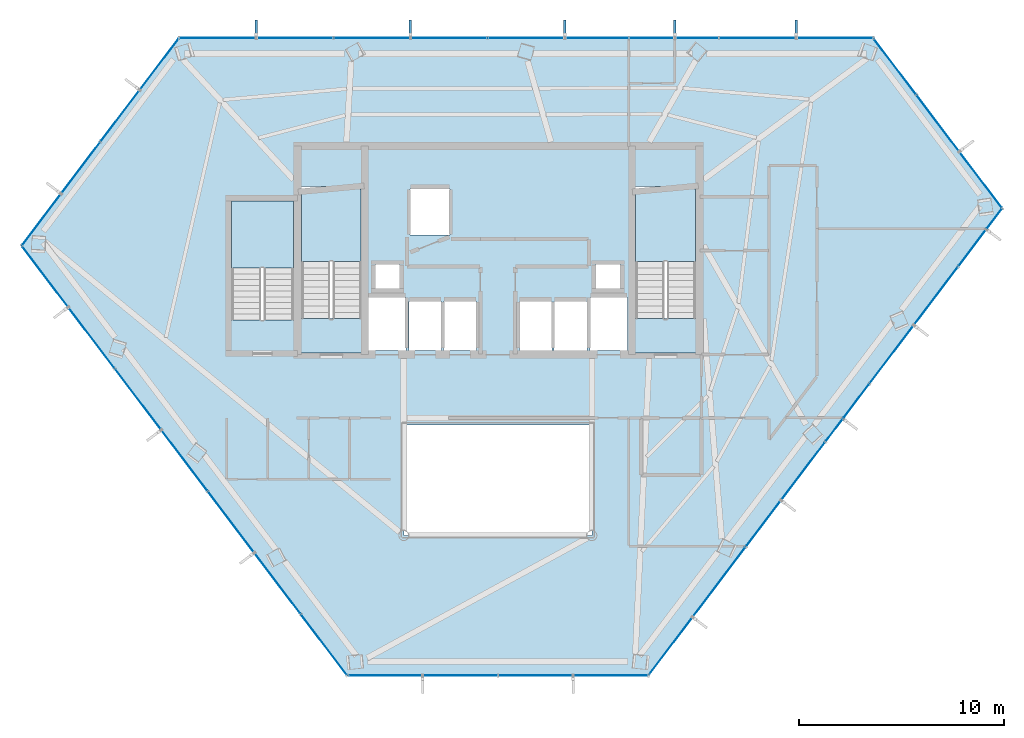
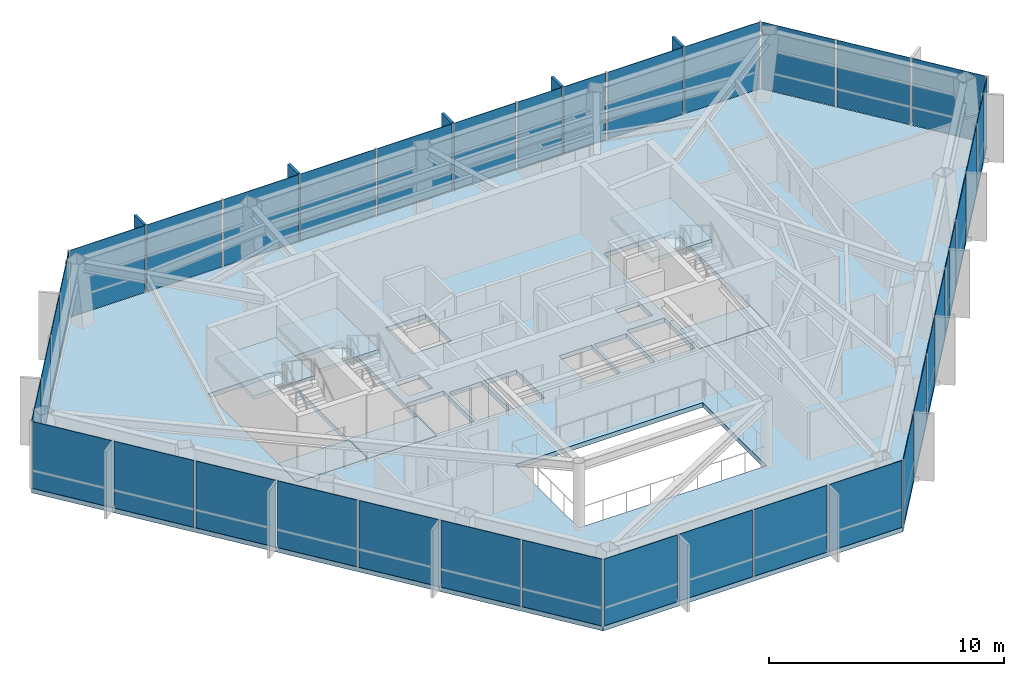
# One storey, part 23 of 27: 38 plates, 7 slabs, 5 members, 9 elements without a shape of their own.
"""IFC4 building model written with IfcOpenShell, lengths in metres."""

from ifc_helpers import new_model, si_unit, direction, frame, origin, origin_2d, place, context, subcontext, project, spatial, polyline, rectangle, outline, extrude, material, layer, layer_set, material_profile, profile_set, type_object, element, aggregate, save


model = new_model("IFC4")

# Units and contexts
model_context = context("Model", 3, precision=1e-05, world=origin(), true_north=direction((0.0, 1.0)))
body_context = subcontext(model_context, "Body", "Model", "MODEL_VIEW")
ifc_project = project(units=[si_unit("LENGTHUNIT", "METRE"), si_unit("AREAUNIT", "SQUARE_METRE"), si_unit("VOLUMEUNIT", "CUBIC_METRE"), si_unit("PLANEANGLEUNIT", "RADIAN"), si_unit("MASSUNIT", "GRAM", prefix="KILO")], contexts=[model_context])

# Site, building, storey
site_placement = place(None, origin())
site = spatial("IfcSite", under=ifc_project, at=site_placement, CompositionType="ELEMENT")
building_placement = place(site_placement, origin())
building = spatial("IfcBuilding", under=site, at=building_placement, Name="Zarrinselat Tower", CompositionType="ELEMENT")
storey_placement = place(building_placement, frame((0.0, 0.0, 183.260009765625)))
storey = spatial("IfcBuildingStorey", under=building, at=storey_placement, Name="L45", CompositionType="ELEMENT", Elevation=183.260009765625)

# Curtain wall, members, plates
ifc_material_1 = material(Name="Extruded Aluminium Alloy EN AW-6063 T6", Category="aluminium")
ifc_layer_1 = layer(ifc_material_1, 0.175048828125)
ifc_layer_set_1 = layer_set([ifc_layer_1], Name="Extruded Aluminium Alloy EN AW-6063 T6")
curtain_wall_type = type_object("IfcCurtainWallType", Name="CWS-HTL", PredefinedType="NOTDEFINED", material=ifc_layer_set_1)
curtain_wall_1_placement = place(storey_placement, origin())
curtain_wall_1 = element("IfcCurtainWall", 1, at=curtain_wall_1_placement, inside=storey, type_object=curtain_wall_type, Name="L45 Unitised Curtain Wall CW-L45-E01", PredefinedType="NOTDEFINED")
ifc_material_2 = material(Name="Honed Cream Travertine Stone", Category="masonry")
ifc_material_profile = material_profile(ifc_material_2, rectangle(XDim=0.1201171875, YDim=0.85009765625, at=origin_2d()), Name="FIN 850x120")
ifc_profile_set = profile_set([ifc_material_profile], Name="Honed Cream Travertine Stone")
member_type = type_object("IfcMemberType", Name="MEM-STONE-FIN", PredefinedType="USERDEFINED", material=ifc_profile_set)
member_1_placement = place(storey_placement, frame((52.98681640625, 49.18212890625, 0.0), z_axis=(0.0, 0.0, 1.0), x_axis=(1.0, 0.0, 0.0)))
member_1 = element("IfcMember", 2, at=member_1_placement, type_object=member_type, Name="L45 Stone Shading Fin CW-L45-E01-01", ObjectType="FIN", PredefinedType="USERDEFINED", context=body_context, shape_type="SweptSolid", body=[
    extrude(rectangle(XDim=0.1201171875, YDim=0.85009765625, at=origin_2d()), origin(), (0.0, 0.0, 1.0), 3.5),
])
member_2_placement = place(storey_placement, frame((47.050048828125, 49.18212890625, 0.0), z_axis=(0.0, 0.0, 1.0), x_axis=(1.0, 0.0, 0.0)))
member_2 = element("IfcMember", 3, at=member_2_placement, type_object=member_type, Name="L45 Stone Shading Fin CW-L45-E01-03", ObjectType="FIN", PredefinedType="USERDEFINED", context=body_context, shape_type="SweptSolid", body=[
    extrude(rectangle(XDim=0.1201171875, YDim=0.85009765625, at=origin_2d()), origin(), (0.0, 0.0, 1.0), 3.5),
])
member_3_placement = place(storey_placement, frame((41.67041015625, 49.18212890625, 0.0), z_axis=(0.0, 0.0, 1.0), x_axis=(1.0, 0.0, 0.0)))
member_3 = element("IfcMember", 4, at=member_3_placement, type_object=member_type, Name="L45 Stone Shading Fin CW-L45-E01-05", ObjectType="FIN", PredefinedType="USERDEFINED", context=body_context, shape_type="SweptSolid", body=[
    extrude(rectangle(XDim=0.1201171875, YDim=0.85009765625, at=origin_2d()), origin(), (0.0, 0.0, 1.0), 3.5),
])
member_4_placement = place(storey_placement, frame((34.126220703125, 49.18212890625, 0.0), z_axis=(0.0, 0.0, 1.0), x_axis=(1.0, 0.0, 0.0)))
member_4 = element("IfcMember", 5, at=member_4_placement, type_object=member_type, Name="L45 Stone Shading Fin CW-L45-E01-07", ObjectType="FIN", PredefinedType="USERDEFINED", context=body_context, shape_type="SweptSolid", body=[
    extrude(rectangle(XDim=0.1201171875, YDim=0.85009765625, at=origin_2d()), origin(), (0.0, 0.0, 1.0), 3.5),
])
member_5_placement = place(storey_placement, frame((26.58203125, 49.18212890625, 0.0), z_axis=(0.0, 0.0, 1.0), x_axis=(1.0, 0.0, 0.0)))
member_5 = element("IfcMember", 6, at=member_5_placement, type_object=member_type, Name="L45 Stone Shading Fin CW-L45-E01-09", ObjectType="FIN", PredefinedType="USERDEFINED", context=body_context, shape_type="SweptSolid", body=[
    extrude(rectangle(XDim=0.1201171875, YDim=0.85009765625, at=origin_2d()), origin(), (0.0, 0.0, 1.0), 3.5),
])
ifc_material_3 = material(Name="Double Low-E Laminated Solar Glass", Category="glass")
ifc_layer_2 = layer(ifc_material_3, 0.028076171875)
ifc_layer_set_2 = layer_set([ifc_layer_2], Name="Double Low-E Laminated Solar Glass")
plate_type = type_object("IfcPlateType", Name="PLT-CW-GL28", PredefinedType="CURTAIN_PANEL", material=ifc_layer_set_2)
plate_1_placement = place(storey_placement, frame((54.872802734375, 48.72216796875, 0.02001953125), z_axis=(0.0, 0.0, 1.0), x_axis=(-1.0, 0.0, 0.0)))
plate_1 = element("IfcPlate", 7, at=plate_1_placement, type_object=plate_type, Name="CW-L45-E01 Vision Glass Panel 1", PredefinedType="CURTAIN_PANEL", context=body_context, shape_type="SweptSolid", body=[
    extrude(rectangle(XDim=3.672119140625, YDim=0.028076171875, at=origin_2d()), origin(), (0.0, 0.0, 1.0), 3.4599609375),
])
plate_2_placement = place(storey_placement, frame((51.1005859375, 48.72216796875, 0.02001953125), z_axis=(0.0, 0.0, 1.0), x_axis=(-1.0, 0.0, 0.0)))
plate_2 = element("IfcPlate", 8, at=plate_2_placement, type_object=plate_type, Name="CW-L45-E01 Vision Glass Panel 2", PredefinedType="CURTAIN_PANEL", context=body_context, shape_type="SweptSolid", body=[
    extrude(rectangle(XDim=3.672119140625, YDim=0.028076171875, at=origin_2d()), origin(), (0.0, 0.0, 1.0), 3.4599609375),
])
plate_3_placement = place(storey_placement, frame((48.13232421875, 48.72216796875, 0.02001953125), z_axis=(0.0, 0.0, 1.0), x_axis=(-1.0, 0.0, 0.0)))
plate_3 = element("IfcPlate", 9, at=plate_3_placement, type_object=plate_type, Name="CW-L45-E01 Vision Glass Panel 3", PredefinedType="CURTAIN_PANEL", context=body_context, shape_type="SweptSolid", body=[
    extrude(rectangle(XDim=2.064697265625, YDim=0.028076171875, at=origin_2d()), origin(), (0.0, 0.0, 1.0), 3.4599609375),
])
plate_4_placement = place(storey_placement, frame((45.925048828125, 48.72216796875, 0.02001953125), z_axis=(0.0, 0.0, 1.0), x_axis=(-1.0, 0.0, 0.0)))
plate_4 = element("IfcPlate", 10, at=plate_4_placement, type_object=plate_type, Name="CW-L45-E01 Vision Glass Panel 4", PredefinedType="CURTAIN_PANEL", context=body_context, shape_type="SweptSolid", body=[
    extrude(rectangle(XDim=2.14990234375, YDim=0.028076171875, at=origin_2d()), origin(), (0.0, 0.0, 1.0), 3.4599609375),
])
plate_5_placement = place(storey_placement, frame((43.235107421875, 48.72216796875, 0.02001953125), z_axis=(0.0, 0.0, 1.0), x_axis=(-1.0, 0.0, 0.0)))
plate_5 = element("IfcPlate", 11, at=plate_5_placement, type_object=plate_type, Name="CW-L45-E01 Vision Glass Panel 5", PredefinedType="CURTAIN_PANEL", context=body_context, shape_type="SweptSolid", body=[
    extrude(rectangle(XDim=3.029541015625, YDim=0.028076171875, at=origin_2d()), origin(), (0.0, 0.0, 1.0), 3.4599609375),
])
plate_6_placement = place(storey_placement, frame((39.784423828125, 48.72216796875, 0.02001953125), z_axis=(0.0, 0.0, 1.0), x_axis=(-1.0, 0.0, 0.0)))
plate_6 = element("IfcPlate", 12, at=plate_6_placement, type_object=plate_type, Name="CW-L45-E01 Vision Glass Panel 6", PredefinedType="CURTAIN_PANEL", context=body_context, shape_type="SweptSolid", body=[
    extrude(rectangle(XDim=3.672119140625, YDim=0.028076171875, at=origin_2d()), origin(), (0.0, 0.0, 1.0), 3.4599609375),
])
plate_7_placement = place(storey_placement, frame((36.01220703125, 48.72216796875, 0.02001953125), z_axis=(0.0, 0.0, 1.0), x_axis=(-1.0, 0.0, 0.0)))
plate_7 = element("IfcPlate", 13, at=plate_7_placement, type_object=plate_type, Name="CW-L45-E01 Vision Glass Panel 7", PredefinedType="CURTAIN_PANEL", context=body_context, shape_type="SweptSolid", body=[
    extrude(rectangle(XDim=3.672119140625, YDim=0.028076171875, at=origin_2d()), origin(), (0.0, 0.0, 1.0), 3.4599609375),
])
plate_8_placement = place(storey_placement, frame((32.239990234375, 48.72216796875, 0.02001953125), z_axis=(0.0, 0.0, 1.0), x_axis=(-1.0, 0.0, 0.0)))
plate_8 = element("IfcPlate", 14, at=plate_8_placement, type_object=plate_type, Name="CW-L45-E01 Vision Glass Panel 8", PredefinedType="CURTAIN_PANEL", context=body_context, shape_type="SweptSolid", body=[
    extrude(rectangle(XDim=3.672119140625, YDim=0.028076171875, at=origin_2d()), origin(), (0.0, 0.0, 1.0), 3.4599609375),
])
plate_9_placement = place(storey_placement, frame((28.468017578125, 48.72216796875, 0.02001953125), z_axis=(0.0, 0.0, 1.0), x_axis=(-1.0, 0.0, 0.0)))
plate_9 = element("IfcPlate", 15, at=plate_9_placement, type_object=plate_type, Name="CW-L45-E01 Vision Glass Panel 9", PredefinedType="CURTAIN_PANEL", context=body_context, shape_type="SweptSolid", body=[
    extrude(rectangle(XDim=3.672119140625, YDim=0.028076171875, at=origin_2d()), origin(), (0.0, 0.0, 1.0), 3.4599609375),
])
plate_10_placement = place(storey_placement, frame((24.696044921875, 48.72216796875, 0.02001953125), z_axis=(0.0, 0.0, 1.0), x_axis=(-1.0, 0.0, 0.0)))
plate_10 = element("IfcPlate", 16, at=plate_10_placement, type_object=plate_type, Name="CW-L45-E01 Vision Glass Panel 10", PredefinedType="CURTAIN_PANEL", context=body_context, shape_type="SweptSolid", body=[
    extrude(rectangle(XDim=3.672119140625, YDim=0.028076171875, at=origin_2d()), origin(), (0.0, 0.0, 1.0), 3.4599609375),
])
aggregate(curtain_wall_1, [member_1, member_2, member_3, member_4, member_5, plate_1, plate_2, plate_3, plate_4, plate_5, plate_6, plate_7, plate_8, plate_9, plate_10])

# Curtain wall, plates
curtain_wall_2_placement = place(storey_placement, origin())
curtain_wall_2 = element("IfcCurtainWall", 17, at=curtain_wall_2_placement, inside=storey, type_object=curtain_wall_type, Name="L45 Unitised Curtain Wall CW-L45-E02", PredefinedType="NOTDEFINED")
plate_11_placement = place(storey_placement, frame((21.8486328125, 47.453369140625, 0.02001953125), z_axis=(0.0, 0.0, 1.0), x_axis=(-0.603859048702, -0.797091117314, 0.0)))
plate_11 = element("IfcPlate", 18, at=plate_11_placement, type_object=plate_type, Name="CW-L45-E02 Vision Glass Panel 1", PredefinedType="CURTAIN_PANEL", context=body_context, shape_type="SweptSolid", body=[
    extrude(rectangle(XDim=3.08349609375, YDim=0.028076171875, at=origin_2d()), origin(), (0.0, 0.0, 1.0), 3.4599609375),
])
plate_12_placement = place(storey_placement, frame((19.92626953125, 44.915771484375, 0.02001953125), z_axis=(0.0, 0.0, 1.0), x_axis=(-0.603859048702, -0.797091117314, 0.0)))
plate_12 = element("IfcPlate", 19, at=plate_12_placement, type_object=plate_type, Name="CW-L45-E02 Vision Glass Panel 2", PredefinedType="CURTAIN_PANEL", context=body_context, shape_type="SweptSolid", body=[
    extrude(rectangle(XDim=3.08349609375, YDim=0.028076171875, at=origin_2d()), origin(), (0.0, 0.0, 1.0), 3.4599609375),
])
plate_13_placement = place(storey_placement, frame((18.00390625, 42.378173828125, 0.02001953125), z_axis=(0.0, 0.0, 1.0), x_axis=(-0.603859048702, -0.797091117314, 0.0)))
plate_13 = element("IfcPlate", 20, at=plate_13_placement, type_object=plate_type, Name="CW-L45-E02 Vision Glass Panel 3", PredefinedType="CURTAIN_PANEL", context=body_context, shape_type="SweptSolid", body=[
    extrude(rectangle(XDim=3.08349609375, YDim=0.028076171875, at=origin_2d()), origin(), (0.0, 0.0, 1.0), 3.4599609375),
])
plate_14_placement = place(storey_placement, frame((16.081298828125, 39.840576171875, 0.02001953125), z_axis=(0.0, 0.0, 1.0), x_axis=(-0.603859048702, -0.797091117314, 0.0)))
plate_14 = element("IfcPlate", 21, at=plate_14_placement, type_object=plate_type, Name="CW-L45-E02 Vision Glass Panel 4", PredefinedType="CURTAIN_PANEL", context=body_context, shape_type="SweptSolid", body=[
    extrude(rectangle(XDim=3.08349609375, YDim=0.028076171875, at=origin_2d()), origin(), (0.0, 0.0, 1.0), 3.4599609375),
])
aggregate(curtain_wall_2, [plate_11, plate_12, plate_13, plate_14])

curtain_wall_3_placement = place(storey_placement, origin())
curtain_wall_3 = element("IfcCurtainWall", 22, at=curtain_wall_3_placement, inside=storey, type_object=curtain_wall_type, Name="L45 Unitised Curtain Wall CW-L45-E03", PredefinedType="NOTDEFINED")
plate_15_placement = place(storey_placement, frame((16.25732421875, 37.070556640625, 0.02001953125), z_axis=(0.0, 0.0, 1.0), x_axis=(0.603857322892, -0.797092424748, 0.0)))
plate_15 = element("IfcPlate", 23, at=plate_15_placement, type_object=plate_type, Name="CW-L45-E03 Vision Glass Panel 1", PredefinedType="CURTAIN_PANEL", context=body_context, shape_type="SweptSolid", body=[
    extrude(rectangle(XDim=3.66650390625, YDim=0.028076171875, at=origin_2d()), origin(), (0.0, 0.0, 1.0), 3.4599609375),
])
plate_16_placement = place(storey_placement, frame((18.53173828125, 34.068115234375, 0.02001953125), z_axis=(0.0, 0.0, 1.0), x_axis=(0.603857322892, -0.797092424748, 0.0)))
plate_16 = element("IfcPlate", 24, at=plate_16_placement, type_object=plate_type, Name="CW-L45-E03 Vision Glass Panel 2", PredefinedType="CURTAIN_PANEL", context=body_context, shape_type="SweptSolid", body=[
    extrude(rectangle(XDim=3.66650390625, YDim=0.028076171875, at=origin_2d()), origin(), (0.0, 0.0, 1.0), 3.4599609375),
])
plate_17_placement = place(storey_placement, frame((20.806396484375, 31.06591796875, 0.02001953125), z_axis=(0.0, 0.0, 1.0), x_axis=(0.603857322892, -0.797092424748, 0.0)))
plate_17 = element("IfcPlate", 25, at=plate_17_placement, type_object=plate_type, Name="CW-L45-E03 Vision Glass Panel 3", PredefinedType="CURTAIN_PANEL", context=body_context, shape_type="SweptSolid", body=[
    extrude(rectangle(XDim=3.66650390625, YDim=0.028076171875, at=origin_2d()), origin(), (0.0, 0.0, 1.0), 3.4599609375),
])
plate_18_placement = place(storey_placement, frame((23.080810546875, 28.0634765625, 0.02001953125), z_axis=(0.0, 0.0, 1.0), x_axis=(0.603857322892, -0.797092424748, 0.0)))
plate_18 = element("IfcPlate", 26, at=plate_18_placement, type_object=plate_type, Name="CW-L45-E03 Vision Glass Panel 4", PredefinedType="CURTAIN_PANEL", context=body_context, shape_type="SweptSolid", body=[
    extrude(rectangle(XDim=3.66650390625, YDim=0.028076171875, at=origin_2d()), origin(), (0.0, 0.0, 1.0), 3.4599609375),
])
plate_19_placement = place(storey_placement, frame((25.355224609375, 25.061279296875, 0.02001953125), z_axis=(0.0, 0.0, 1.0), x_axis=(0.603857322892, -0.797092424748, 0.0)))
plate_19 = element("IfcPlate", 27, at=plate_19_placement, type_object=plate_type, Name="CW-L45-E03 Vision Glass Panel 5", PredefinedType="CURTAIN_PANEL", context=body_context, shape_type="SweptSolid", body=[
    extrude(rectangle(XDim=3.66650390625, YDim=0.028076171875, at=origin_2d()), origin(), (0.0, 0.0, 1.0), 3.4599609375),
])
plate_20_placement = place(storey_placement, frame((27.6298828125, 22.058837890625, 0.02001953125), z_axis=(0.0, 0.0, 1.0), x_axis=(0.603857322892, -0.797092424748, 0.0)))
plate_20 = element("IfcPlate", 28, at=plate_20_placement, type_object=plate_type, Name="CW-L45-E03 Vision Glass Panel 6", PredefinedType="CURTAIN_PANEL", context=body_context, shape_type="SweptSolid", body=[
    extrude(rectangle(XDim=3.66650390625, YDim=0.028076171875, at=origin_2d()), origin(), (0.0, 0.0, 1.0), 3.4599609375),
])
plate_21_placement = place(storey_placement, frame((29.904296875, 19.056396484375, 0.02001953125), z_axis=(0.0, 0.0, 1.0), x_axis=(0.603857322892, -0.797092424748, 0.0)))
plate_21 = element("IfcPlate", 29, at=plate_21_placement, type_object=plate_type, Name="CW-L45-E03 Vision Glass Panel 7", PredefinedType="CURTAIN_PANEL", context=body_context, shape_type="SweptSolid", body=[
    extrude(rectangle(XDim=3.66650390625, YDim=0.028076171875, at=origin_2d()), origin(), (0.0, 0.0, 1.0), 3.4599609375),
])
aggregate(curtain_wall_3, [plate_15, plate_16, plate_17, plate_18, plate_19, plate_20, plate_21])

curtain_wall_4_placement = place(storey_placement, origin())
curtain_wall_4 = element("IfcCurtainWall", 30, at=curtain_wall_4_placement, inside=storey, type_object=curtain_wall_type, Name="L45 Unitised Curtain Wall CW-L45-E04", PredefinedType="NOTDEFINED")
plate_22_placement = place(storey_placement, frame((32.881103515625, 17.555419921875, 0.02001953125), z_axis=(0.0, 0.0, 1.0), x_axis=(1.0, 0.0, 0.0)))
plate_22 = element("IfcPlate", 31, at=plate_22_placement, type_object=plate_type, Name="CW-L45-E04 Vision Glass Panel 1", PredefinedType="CURTAIN_PANEL", context=body_context, shape_type="SweptSolid", body=[
    extrude(rectangle(XDim=3.5791015625, YDim=0.028076171875, at=origin_2d()), origin(), (0.0, 0.0, 1.0), 3.4599609375),
])
plate_23_placement = place(storey_placement, frame((36.560302734375, 17.555419921875, 0.02001953125), z_axis=(0.0, 0.0, 1.0), x_axis=(1.0, 0.0, 0.0)))
plate_23 = element("IfcPlate", 32, at=plate_23_placement, type_object=plate_type, Name="CW-L45-E04 Vision Glass Panel 2", PredefinedType="CURTAIN_PANEL", context=body_context, shape_type="SweptSolid", body=[
    extrude(rectangle(XDim=3.5791015625, YDim=0.028076171875, at=origin_2d()), origin(), (0.0, 0.0, 1.0), 3.4599609375),
])
plate_24_placement = place(storey_placement, frame((40.239501953125, 17.555419921875, 0.02001953125), z_axis=(0.0, 0.0, 1.0), x_axis=(1.0, 0.0, 0.0)))
plate_24 = element("IfcPlate", 33, at=plate_24_placement, type_object=plate_type, Name="CW-L45-E04 Vision Glass Panel 3", PredefinedType="CURTAIN_PANEL", context=body_context, shape_type="SweptSolid", body=[
    extrude(rectangle(XDim=3.5791015625, YDim=0.028076171875, at=origin_2d()), origin(), (0.0, 0.0, 1.0), 3.4599609375),
])
plate_25_placement = place(storey_placement, frame((43.918701171875, 17.555419921875, 0.02001953125), z_axis=(0.0, 0.0, 1.0), x_axis=(1.0, 0.0, 0.0)))
plate_25 = element("IfcPlate", 34, at=plate_25_placement, type_object=plate_type, Name="CW-L45-E04 Vision Glass Panel 4", PredefinedType="CURTAIN_PANEL", context=body_context, shape_type="SweptSolid", body=[
    extrude(rectangle(XDim=3.5791015625, YDim=0.028076171875, at=origin_2d()), origin(), (0.0, 0.0, 1.0), 3.4599609375),
])
aggregate(curtain_wall_4, [plate_22, plate_23, plate_24, plate_25])

curtain_wall_5_placement = place(storey_placement, origin())
curtain_wall_5 = element("IfcCurtainWall", 35, at=curtain_wall_5_placement, inside=storey, type_object=curtain_wall_type, Name="L45 Unitised Curtain Wall CW-L45-E05", PredefinedType="NOTDEFINED")
plate_26_placement = place(storey_placement, frame((46.840087890625, 18.98291015625, 0.02001953125), z_axis=(0.0, 0.0, 1.0), x_axis=(0.603859165965, 0.797091028478, 0.0)))
plate_26 = element("IfcPlate", 36, at=plate_26_placement, type_object=plate_type, Name="CW-L45-E05 Vision Glass Panel 1", PredefinedType="CURTAIN_PANEL", context=body_context, shape_type="SweptSolid", body=[
    extrude(rectangle(XDim=3.482421875, YDim=0.028076171875, at=origin_2d()), origin(), (0.0, 0.0, 1.0), 3.4599609375),
])
plate_27_placement = place(storey_placement, frame((49.222900390625, 22.128662109375, 0.02001953125), z_axis=(0.0, 0.0, 1.0), x_axis=(0.603859165965, 0.797091028478, 0.0)))
plate_27 = element("IfcPlate", 37, at=plate_27_placement, type_object=plate_type, Name="CW-L45-E05 Vision Glass Panel 2", PredefinedType="CURTAIN_PANEL", context=body_context, shape_type="SweptSolid", body=[
    extrude(rectangle(XDim=4.210205078125, YDim=0.028076171875, at=origin_2d()), origin(), (0.0, 0.0, 1.0), 3.4599609375),
])
plate_28_placement = place(storey_placement, frame((51.38623046875, 24.98388671875, 0.02001953125), z_axis=(0.0, 0.0, 1.0), x_axis=(0.603859165965, 0.797091028478, 0.0)))
plate_28 = element("IfcPlate", 38, at=plate_28_placement, type_object=plate_type, Name="CW-L45-E05 Vision Glass Panel 3", PredefinedType="CURTAIN_PANEL", context=body_context, shape_type="SweptSolid", body=[
    extrude(rectangle(XDim=2.75439453125, YDim=0.028076171875, at=origin_2d()), origin(), (0.0, 0.0, 1.0), 3.4599609375),
])
plate_29_placement = place(storey_placement, frame((53.32958984375, 27.54931640625, 0.02001953125), z_axis=(0.0, 0.0, 1.0), x_axis=(0.603859165965, 0.797091028478, 0.0)))
plate_29 = element("IfcPlate", 39, at=plate_29_placement, type_object=plate_type, Name="CW-L45-E05 Vision Glass Panel 4", PredefinedType="CURTAIN_PANEL", context=body_context, shape_type="SweptSolid", body=[
    extrude(rectangle(XDim=3.482421875, YDim=0.028076171875, at=origin_2d()), origin(), (0.0, 0.0, 1.0), 3.4599609375),
])
plate_30_placement = place(storey_placement, frame((54.841796875, 29.54541015625, 0.02001953125), z_axis=(0.0, 0.0, 1.0), x_axis=(0.603859165965, 0.797091028478, 0.0)))
plate_30 = element("IfcPlate", 40, at=plate_30_placement, type_object=plate_type, Name="CW-L45-E05 Vision Glass Panel 5", PredefinedType="CURTAIN_PANEL", context=body_context, shape_type="SweptSolid", body=[
    extrude(rectangle(XDim=1.325927734375, YDim=0.028076171875, at=origin_2d()), origin(), (0.0, 0.0, 1.0), 3.4599609375),
])
plate_31_placement = place(storey_placement, frame((55.923583984375, 30.97314453125, 0.02001953125), z_axis=(0.0, 0.0, 1.0), x_axis=(0.603859165965, 0.797091028478, 0.0)))
plate_31 = element("IfcPlate", 41, at=plate_31_placement, type_object=plate_type, Name="CW-L45-E05 Vision Glass Panel 6", PredefinedType="CURTAIN_PANEL", context=body_context, shape_type="SweptSolid", body=[
    extrude(rectangle(XDim=2.056396484375, YDim=0.028076171875, at=origin_2d()), origin(), (0.0, 0.0, 1.0), 3.4599609375),
])
plate_32_placement = place(storey_placement, frame((57.65625, 33.26025390625, 0.02001953125), z_axis=(0.0, 0.0, 1.0), x_axis=(0.603859165965, 0.797091028478, 0.0)))
plate_32 = element("IfcPlate", 42, at=plate_32_placement, type_object=plate_type, Name="CW-L45-E05 Vision Glass Panel 7", PredefinedType="CURTAIN_PANEL", context=body_context, shape_type="SweptSolid", body=[
    extrude(rectangle(XDim=3.482421875, YDim=0.028076171875, at=origin_2d()), origin(), (0.0, 0.0, 1.0), 3.4599609375),
])
plate_33_placement = place(storey_placement, frame((59.8193359375, 36.11572265625, 0.02001953125), z_axis=(0.0, 0.0, 1.0), x_axis=(0.603859165965, 0.797091028478, 0.0)))
plate_33 = element("IfcPlate", 43, at=plate_33_placement, type_object=plate_type, Name="CW-L45-E05 Vision Glass Panel 8", PredefinedType="CURTAIN_PANEL", context=body_context, shape_type="SweptSolid", body=[
    extrude(rectangle(XDim=3.482421875, YDim=0.028076171875, at=origin_2d()), origin(), (0.0, 0.0, 1.0), 3.4599609375),
])
plate_34_placement = place(storey_placement, frame((61.593017578125, 38.456787109375, 0.02001953125), z_axis=(0.0, 0.0, 1.0), x_axis=(0.603859165965, 0.797091028478, 0.0)))
plate_34 = element("IfcPlate", 44, at=plate_34_placement, type_object=plate_type, Name="CW-L45-E05 Vision Glass Panel 9", PredefinedType="CURTAIN_PANEL", context=body_context, shape_type="SweptSolid", body=[
    extrude(rectangle(XDim=2.191162109375, YDim=0.028076171875, at=origin_2d()), origin(), (0.0, 0.0, 1.0), 3.4599609375),
])
plate_35_placement = place(storey_placement, frame((62.674560546875, 39.884521484375, 0.02001953125), z_axis=(0.0, 0.0, 1.0), x_axis=(0.603859165965, 0.797091028478, 0.0)))
plate_35 = element("IfcPlate", 45, at=plate_35_placement, type_object=plate_type, Name="CW-L45-E05 Vision Glass Panel 10", PredefinedType="CURTAIN_PANEL", context=body_context, shape_type="SweptSolid", body=[
    extrude(rectangle(XDim=1.191162109375, YDim=0.028076171875, at=origin_2d()), origin(), (0.0, 0.0, 1.0), 3.4599609375),
])
aggregate(curtain_wall_5, [plate_26, plate_27, plate_28, plate_29, plate_30, plate_31, plate_32, plate_33, plate_34, plate_35])

curtain_wall_6_placement = place(storey_placement, origin())
curtain_wall_6 = element("IfcCurtainWall", 46, at=curtain_wall_6_placement, inside=storey, type_object=curtain_wall_type, Name="L45 Unitised Curtain Wall CW-L45-E06", PredefinedType="NOTDEFINED")
plate_36_placement = place(storey_placement, frame((62.013427734375, 41.7861328125, 0.02001953125), z_axis=(0.0, 0.0, 1.0), x_axis=(-0.603860453729, 0.797090052893, 0.0)))
plate_36 = element("IfcPlate", 47, at=plate_36_placement, type_object=plate_type, Name="CW-L45-E06 Vision Glass Panel 1", PredefinedType="CURTAIN_PANEL", context=body_context, shape_type="SweptSolid", body=[
    extrude(rectangle(XDim=3.380615234375, YDim=0.028076171875, at=origin_2d()), origin(), (0.0, 0.0, 1.0), 3.4599609375),
])
plate_37_placement = place(storey_placement, frame((59.91162109375, 44.560546875, 0.02001953125), z_axis=(0.0, 0.0, 1.0), x_axis=(-0.603860453729, 0.797090052893, 0.0)))
plate_37 = element("IfcPlate", 48, at=plate_37_placement, type_object=plate_type, Name="CW-L45-E06 Vision Glass Panel 2", PredefinedType="CURTAIN_PANEL", context=body_context, shape_type="SweptSolid", body=[
    extrude(rectangle(XDim=3.380615234375, YDim=0.028076171875, at=origin_2d()), origin(), (0.0, 0.0, 1.0), 3.4599609375),
])
plate_38_placement = place(storey_placement, frame((57.809814453125, 47.3349609375, 0.02001953125), z_axis=(0.0, 0.0, 1.0), x_axis=(-0.603860453729, 0.797090052893, 0.0)))
plate_38 = element("IfcPlate", 49, at=plate_38_placement, type_object=plate_type, Name="CW-L45-E06 Vision Glass Panel 3", PredefinedType="CURTAIN_PANEL", context=body_context, shape_type="SweptSolid", body=[
    extrude(rectangle(XDim=3.380615234375, YDim=0.028076171875, at=origin_2d()), origin(), (0.0, 0.0, 1.0), 3.4599609375),
])
aggregate(curtain_wall_6, [plate_36, plate_37, plate_38])

# Slabs
ifc_material_4 = material(Name="Concrete C40/50", Category="concrete")
ifc_layer_3 = layer(ifc_material_4, 0.239990234375)
ifc_layer_set_3 = layer_set([ifc_layer_3], Name="Concrete C40/50")
slab_type_1 = type_object("IfcSlabType", Name="SLB-FLOOR-240-SL-HT240", PredefinedType="FLOOR", material=ifc_layer_set_3)
slab_1_placement = place(storey_placement, frame((0.0, 0.0, -0.239990234375)))
element("IfcSlab", 50, at=slab_1_placement, inside=storey, type_object=slab_type_1, Name="L45 Primary Structural Slab", PredefinedType="FLOOR", context=body_context, shape_type="SweptSolid", body=[
    extrude(outline(polyline([(56.7587890625, 48.72216796875), (22.809814453125, 48.72216796875), (15.1201171875, 38.57177734375), (31.04150390625, 17.555419921875), (45.75830078125, 17.555419921875), (63.064208984375, 40.39892578125), (56.7587890625, 48.72216796875)]), holes=[polyline([(35.64990234375, 33.449951171875), (34.050048828125, 33.449951171875), (34.050048828125, 35.85009765625), (35.64990234375, 35.85009765625), (35.64990234375, 33.449951171875)]), polyline([(35.75, 33.449951171875), (35.75, 35.85009765625), (37.35009765625, 35.85009765625), (37.35009765625, 33.449951171875), (35.75, 33.449951171875)]), polyline([(32.06005859375, 33.449951171875), (32.06005859375, 36.050048828125), (33.89990234375, 36.050048828125), (33.89990234375, 33.449951171875), (32.06005859375, 33.449951171875)]), polyline([(33.60009765625, 36.47998046875), (32.419921875, 36.47998046875), (32.419921875, 37.639892578125), (33.60009765625, 37.639892578125), (33.60009765625, 36.47998046875)]), polyline([(28.594970703125, 33.324951171875), (25.114990234375, 33.324951171875), (25.114990234375, 40.875), (28.594970703125, 40.875), (28.594970703125, 33.324951171875)]), polyline([(31.985107421875, 33.324951171875), (28.60498046875, 33.324951171875), (28.60498046875, 41.47509765625), (31.985107421875, 41.47509765625), (31.985107421875, 33.324951171875)]), polyline([(36.050048828125, 39.10009765625), (34.10009765625, 39.10009765625), (34.10009765625, 41.35009765625), (36.050048828125, 41.35009765625), (36.050048828125, 39.10009765625)]), polyline([(33.800048828125, 24.39990234375), (33.800048828125, 29.800048828125), (43.0, 29.800048828125), (43.0, 24.39990234375), (33.800048828125, 24.39990234375)]), polyline([(39.449951171875, 33.449951171875), (39.449951171875, 35.85009765625), (41.050048828125, 35.85009765625), (41.050048828125, 33.449951171875), (39.449951171875, 33.449951171875)]), polyline([(41.14990234375, 33.449951171875), (41.14990234375, 35.85009765625), (42.75, 35.85009765625), (42.75, 33.449951171875), (41.14990234375, 33.449951171875)]), polyline([(42.89990234375, 33.449951171875), (42.89990234375, 36.050048828125), (44.739990234375, 36.050048828125), (44.739990234375, 33.449951171875), (42.89990234375, 33.449951171875)]), polyline([(43.199951171875, 36.47998046875), (43.199951171875, 37.639892578125), (44.3798828125, 37.639892578125), (44.3798828125, 36.47998046875), (43.199951171875, 36.47998046875)]), polyline([(48.324951171875, 33.324951171875), (44.875, 33.324951171875), (44.875, 41.47509765625), (48.324951171875, 41.47509765625), (48.324951171875, 33.324951171875)])]), origin(), (0.0, 0.0, 1.0), 0.239990234375),
])
slab_2_placement = place(storey_placement, frame((0.0, 0.0, -0.239990234375)))
element("IfcSlab", 51, at=slab_2_placement, inside=storey, type_object=slab_type_1, Name="L45 Stair ST-1-FL1 Structural Floor Landing", PredefinedType="FLOOR", context=body_context, shape_type="SweptSolid", body=[
    extrude(outline(polyline([(31.97998046875, 33.330078125), (31.97998046875, 35.0), (28.610107421875, 35.0), (28.610107421875, 33.330078125), (31.97998046875, 33.330078125)])), origin(), (0.0, 0.0, 1.0), 0.239990234375),
])
slab_3_placement = place(storey_placement, frame((0.0, 0.0, -0.239990234375)))
element("IfcSlab", 52, at=slab_3_placement, inside=storey, type_object=slab_type_1, Name="L45 Stair ST-2-FL1 Structural Floor Landing", PredefinedType="FLOOR", context=body_context, shape_type="SweptSolid", body=[
    extrude(outline(polyline([(48.320068359375, 33.330078125), (48.320068359375, 35.0), (44.8798828125, 35.0), (44.8798828125, 33.330078125), (48.320068359375, 33.330078125)])), origin(), (0.0, 0.0, 1.0), 0.239990234375),
])
slab_4_placement = place(storey_placement, frame((0.0, 0.0, -0.239990234375)))
element("IfcSlab", 53, at=slab_4_placement, inside=storey, type_object=slab_type_1, Name="L45 Stair ST-3-FL1 Structural Floor Landing", PredefinedType="FLOOR", context=body_context, shape_type="SweptSolid", body=[
    extrude(outline(polyline([(28.590087890625, 33.330078125), (28.590087890625, 34.949951171875), (25.1201171875, 34.949951171875), (25.1201171875, 33.330078125), (28.590087890625, 33.330078125)])), origin(), (0.0, 0.0, 1.0), 0.239990234375),
])

# Stair, slab
ifc_material_5 = material(Name="Concrete C40/50", Category="concrete")
stair_type_1 = type_object("IfcStairType", Name="STR-CORE-145", PredefinedType="HALF_TURN_STAIR", material=ifc_material_5)
stair_1_placement = place(storey_placement, origin())
stair_1 = element("IfcStair", 54, at=stair_1_placement, inside=storey, type_object=stair_type_1, Name="L45 Podium & Mid-Tower Exit Stair 3", PredefinedType="HALF_TURN_STAIR")
ifc_material_6 = material(Name="Concrete C40/50", Category="concrete")
ifc_layer_4 = layer(ifc_material_6, 0.1650390625)
ifc_layer_set_4 = layer_set([ifc_layer_4], Name="Concrete C40/50")
slab_type_2 = type_object("IfcSlabType", Name="SLB-LND-165", PredefinedType="LANDING", material=ifc_layer_set_4)
slab_5_placement = place(storey_placement, frame((0.0, 0.0, 1.669921875)))
slab_5 = element("IfcSlab", 55, at=slab_5_placement, type_object=slab_type_2, Name="ST-3 landing 1", PredefinedType="LANDING", context=body_context, shape_type="SweptSolid", body=[
    extrude(outline(polyline([(28.39990234375, 37.469970703125), (28.39990234375, 40.75), (25.3798828125, 40.75), (25.3798828125, 37.469970703125), (28.39990234375, 37.469970703125)])), origin(), (0.0, 0.0, 1.0), 0.199951171875),
])
aggregate(stair_1, [slab_5])

ifc_material_7 = material(Name="Concrete C40/50", Category="concrete")
stair_type_2 = type_object("IfcStairType", Name="STR-CORE-155", PredefinedType="HALF_TURN_STAIR", material=ifc_material_7)
stair_2_placement = place(storey_placement, origin())
stair_2 = element("IfcStair", 56, at=stair_2_placement, inside=storey, type_object=stair_type_2, Name="L45 Core Exit Stair 1", PredefinedType="HALF_TURN_STAIR")
ifc_material_8 = material(Name="Concrete C40/50", Category="concrete")
ifc_layer_5 = layer(ifc_material_8, 0.18994140625)
ifc_layer_set_5 = layer_set([ifc_layer_5], Name="Concrete C40/50")
slab_type_3 = type_object("IfcSlabType", Name="SLB-LND-190", PredefinedType="LANDING", material=ifc_layer_set_5)
slab_6_placement = place(storey_placement, frame((0.0, 0.0, 1.669921875)))
slab_6 = element("IfcSlab", 57, at=slab_6_placement, type_object=slab_type_3, Name="ST-1 landing 1", PredefinedType="LANDING", context=body_context, shape_type="SweptSolid", body=[
    extrude(outline(polyline([(31.719970703125, 37.7900390625), (31.719970703125, 41.35009765625), (28.800048828125, 41.35009765625), (28.800048828125, 37.7900390625), (31.719970703125, 37.7900390625)])), origin(), (0.0, 0.0, 1.0), 0.199951171875),
])
aggregate(stair_2, [slab_6])

stair_3_placement = place(storey_placement, origin())
stair_3 = element("IfcStair", 58, at=stair_3_placement, inside=storey, type_object=stair_type_2, Name="L45 Core Exit Stair 2", PredefinedType="HALF_TURN_STAIR")
slab_7_placement = place(storey_placement, frame((0.0, 0.0, 1.669921875)))
slab_7 = element("IfcSlab", 59, at=slab_7_placement, type_object=slab_type_3, Name="ST-2 landing 1", PredefinedType="LANDING", context=body_context, shape_type="SweptSolid", body=[
    extrude(outline(polyline([(48.06005859375, 37.7900390625), (48.06005859375, 41.35009765625), (45.139892578125, 41.35009765625), (45.139892578125, 37.7900390625), (48.06005859375, 37.7900390625)])), origin(), (0.0, 0.0, 1.0), 0.199951171875),
])
aggregate(stair_3, [slab_7])

save(model, "model.ifc")
